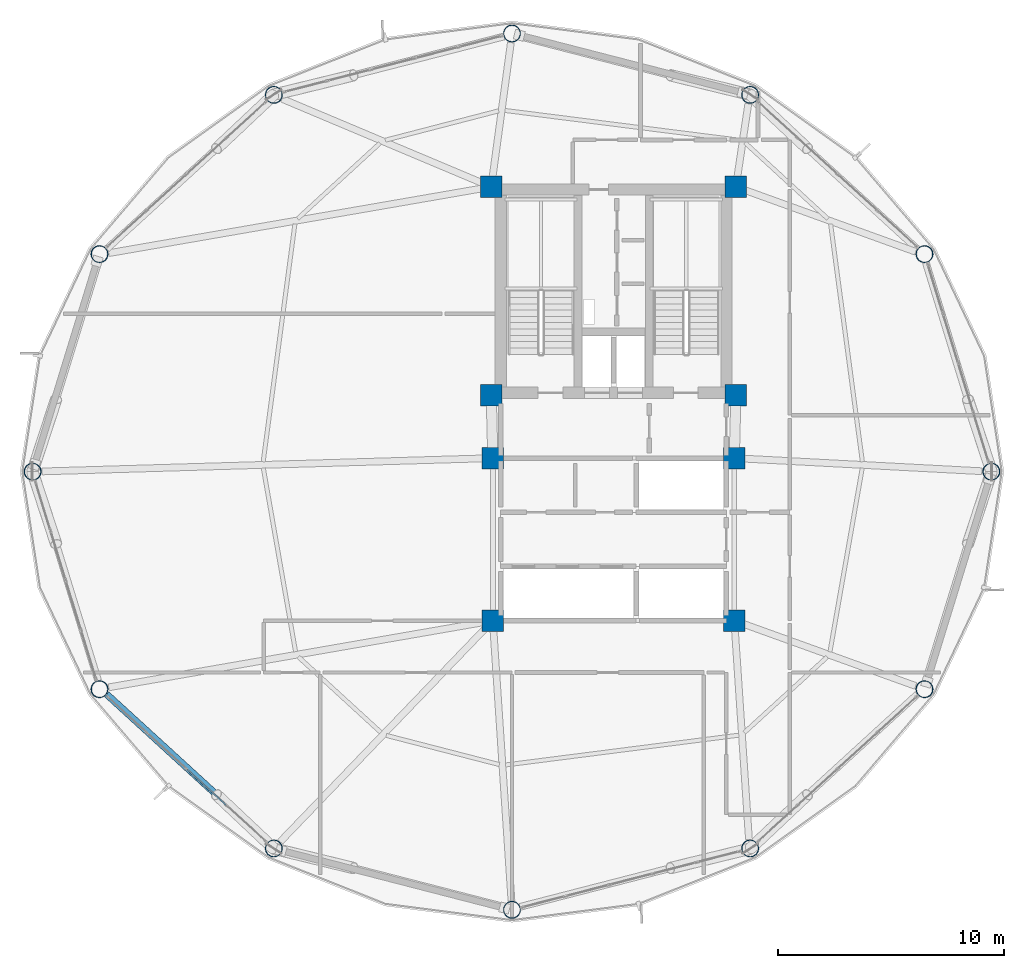
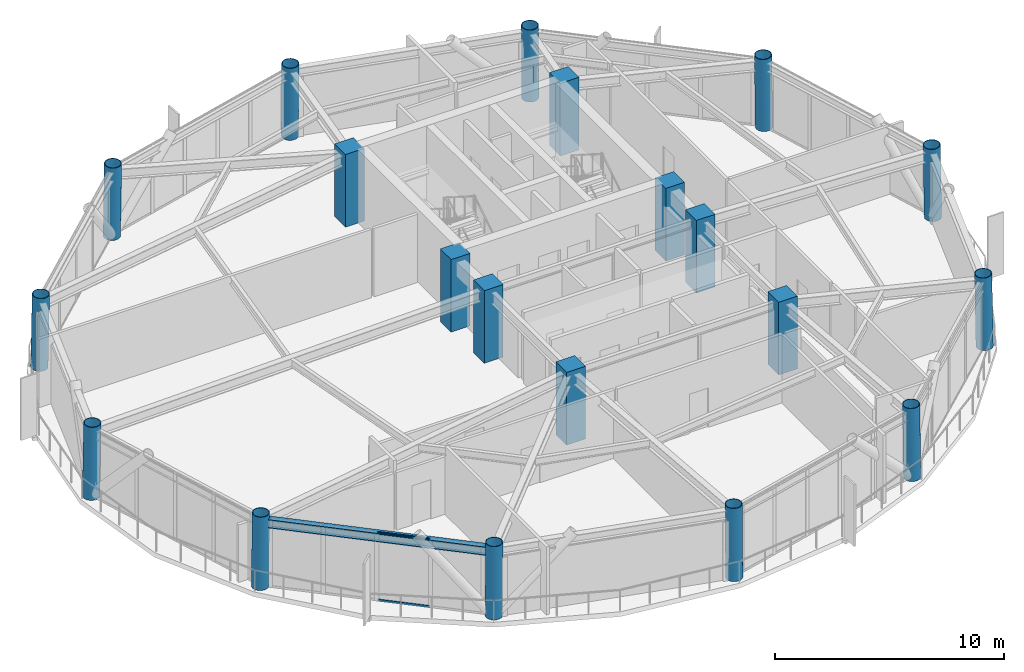
# One storey, part 1 of 25: 20 columns, 2 members, 1 beam, 1 element without a shape of its own.
"""IFC4 building model written with IfcOpenShell, lengths in metres."""

from ifc_helpers import new_model, si_unit, direction, frame, origin, origin_2d, place, context, subcontext, project, spatial, rectangle, hollow_rectangle, hollow_circle, i_section, extrude, material, layer, layer_set, material_profile, profile_set, type_object, element, aggregate, save


model = new_model("IFC4")

# Units and contexts
model_context = context("Model", 3, precision=1e-05, world=origin(), true_north=direction((0.0, 1.0)))
body_context = subcontext(model_context, "Body", "Model", "MODEL_VIEW")
ifc_project = project(units=[si_unit("LENGTHUNIT", "METRE"), si_unit("AREAUNIT", "SQUARE_METRE"), si_unit("VOLUMEUNIT", "CUBIC_METRE"), si_unit("PLANEANGLEUNIT", "RADIAN"), si_unit("MASSUNIT", "GRAM", prefix="KILO")], contexts=[model_context])

# Site, building, storey
site_placement = place(None, origin())
site = spatial("IfcSite", under=ifc_project, at=site_placement, CompositionType="ELEMENT")
building_placement = place(site_placement, origin())
building = spatial("IfcBuilding", under=site, at=building_placement, Name="Varnakorn Sky Granary", CompositionType="ELEMENT")
storey_placement = place(building_placement, frame((0.0, 0.0, 122.699951171875)))
storey = spatial("IfcBuildingStorey", under=building, at=storey_placement, Name="L30", CompositionType="ELEMENT", Elevation=122.699951171875)

# Columns
ifc_material_1 = material(Name="Steel S460M", Category="steel")
ifc_material_profile_1 = material_profile(ifc_material_1, hollow_circle(Radius=0.381103515625, WallThickness=0.028076171875, at=origin_2d()), Name="CHS 762x28")
ifc_profile_set_1 = profile_set([ifc_material_profile_1], Name="Steel S460M")
column_type_1 = type_object("IfcColumnType", Name="COL-DC-Z3", PredefinedType="COLUMN", material=ifc_profile_set_1)
for number, where, z_axis, x_axis, name in (
    (1, (19.75, 0.0, 0.0), (-0.017260533083, 0.0, 0.999851025902), (0.0, -1.0, 0.0), "Drum Perimeter Column DC01 L30"),
    (2, (16.7861328125, 9.64306640625, 0.0), (-0.01499299424, -0.00611059009, 0.999868926816), (0.377420478288, -0.926041998275, 0.0), "Drum Perimeter Column DC02 L30"),
):
    element("IfcColumn", number, at=place(storey_placement, frame(where, z_axis=z_axis, x_axis=x_axis)), inside=storey, type_object=column_type_1, Name=name, PredefinedType="COLUMN", context=body_context, shape_type="SweptSolid", body=[
        extrude(hollow_circle(Radius=0.381103515625, WallThickness=0.028076171875, at=origin_2d()), origin(), (0.0, 0.0, 1.0), 3.87548828125),
    ])
for number, where, z_axis, x_axis, name in (
    (3, (9.0576171875, 16.7021484375, 0.0), (-0.008693752408, -0.010457702172, 0.999907523291), (0.768980150656, -0.639272655365, 0.0), "Drum Perimeter Column DC03 L30"),
    (4, (-1.5, 19.4208984375, 0.0), (0.0, -0.012095889218, 0.999926842056), (1.0, 0.0, 0.0), "Drum Perimeter Column DC04 L30"),
    (5, (-12.0576171875, 16.7021484375, 0.0), (0.008693752408, -0.010457702172, 0.999907523291), (0.768980150656, 0.639272655365, 0.0), "Drum Perimeter Column DC05 L30"),
):
    element("IfcColumn", number, at=place(storey_placement, frame(where, z_axis=z_axis, x_axis=x_axis)), inside=storey, type_object=column_type_1, Name=name, PredefinedType="COLUMN", context=body_context, shape_type="SweptSolid", body=[
        extrude(hollow_circle(Radius=0.381103515625, WallThickness=0.028076171875, at=origin_2d()), origin(), (0.0, 0.0, 1.0), 3.875244140625),
    ])
for number, where, z_axis, x_axis, name in (
    (6, (-19.7861328125, 9.64306640625, 0.0), (0.01499299424, -0.00611059009, 0.999868926816), (0.377420478288, 0.926041998275, 0.0), "Drum Perimeter Column DC06 L30"),
    (7, (-22.75, 0.0, 0.0), (0.017260533083, 0.0, 0.999851025902), (0.0, 1.0, 0.0), "Drum Perimeter Column DC07 L30"),
    (8, (-19.7861328125, -9.64306640625, 0.0), (0.01499299424, 0.00611059009, 0.999868926816), (-0.377420478288, 0.926041998275, 0.0), "Drum Perimeter Column DC08 L30"),
):
    element("IfcColumn", number, at=place(storey_placement, frame(where, z_axis=z_axis, x_axis=x_axis)), inside=storey, type_object=column_type_1, Name=name, PredefinedType="COLUMN", context=body_context, shape_type="SweptSolid", body=[
        extrude(hollow_circle(Radius=0.381103515625, WallThickness=0.028076171875, at=origin_2d()), origin(), (0.0, 0.0, 1.0), 3.87548828125),
    ])
for number, where, z_axis, x_axis, name in (
    (9, (-12.0576171875, -16.7021484375, 0.0), (0.008693752408, 0.010457702172, 0.999907523291), (-0.768980150656, 0.639272655365, 0.0), "Drum Perimeter Column DC09 L30"),
    (10, (-1.5, -19.4208984375, 0.0), (0.0, 0.012095889218, 0.999926842056), (-1.0, 0.0, 0.0), "Drum Perimeter Column DC10 L30"),
    (11, (9.0576171875, -16.7021484375, 0.0), (-0.008693752408, 0.010457702172, 0.999907523291), (-0.768980150656, -0.639272655365, 0.0), "Drum Perimeter Column DC11 L30"),
):
    element("IfcColumn", number, at=place(storey_placement, frame(where, z_axis=z_axis, x_axis=x_axis)), inside=storey, type_object=column_type_1, Name=name, PredefinedType="COLUMN", context=body_context, shape_type="SweptSolid", body=[
        extrude(hollow_circle(Radius=0.381103515625, WallThickness=0.028076171875, at=origin_2d()), origin(), (0.0, 0.0, 1.0), 3.875244140625),
    ])
column_placement = place(storey_placement, frame((16.7861328125, -9.64306640625, 0.0), z_axis=(-0.01499299424, 0.00611059009, 0.999868926816), x_axis=(-0.377420478288, -0.926041998275, 0.0)))
element("IfcColumn", 12, at=column_placement, inside=storey, type_object=column_type_1, Name="Drum Perimeter Column DC12 L30", PredefinedType="COLUMN", context=body_context, shape_type="SweptSolid", body=[
    extrude(hollow_circle(Radius=0.381103515625, WallThickness=0.028076171875, at=origin_2d()), origin(), (0.0, 0.0, 1.0), 3.87548828125),
])
ifc_material_2 = material(Name="Concrete C50/60", Category="concrete")
ifc_material_profile_2 = material_profile(ifc_material_2, rectangle(XDim=0.949951171875, YDim=0.949951171875, at=origin_2d()), Name="RC 950x950")
ifc_profile_set_2 = profile_set([ifc_material_profile_2], Name="Concrete C50/60")
column_type_2 = type_object("IfcColumnType", Name="COL-MC-Z3", PredefinedType="COLUMN", material=ifc_profile_set_2)
for number, where, z_axis, x_axis, name in (
    (13, (-2.419921875, 12.6201171875, 0.0), (0.0, 0.0, 1.0), (1.0, 0.0, 0.0), "Backbone Mega-Column MC1 L30"),
    (14, (8.419921875, 12.6201171875, 0.0), (0.0, 0.0, 1.0), (1.0, 0.0, 0.0), "Backbone Mega-Column MC2 L30"),
    (15, (-2.419921875, 3.3798828125, 0.0), (0.0, 0.0, 1.0), (1.0, 0.0, 0.0), "Backbone Mega-Column MC3 L30"),
    (16, (8.419921875, 3.3798828125, 0.0), (0.0, 0.0, 1.0), (1.0, 0.0, 0.0), "Backbone Mega-Column MC4 L30"),
    (17, (-2.35009765625, 0.60009765625, 0.0), (0.0, 0.0, 1.0), (1.0, 0.0, 0.0), "Backbone Mega-Column MC5 L30"),
    (18, (8.35009765625, 0.60009765625, 0.0), (0.0, 0.0, 1.0), (1.0, 0.0, 0.0), "Backbone Mega-Column MC6 L30"),
    (19, (-2.35009765625, -6.60009765625, 0.0), (0.0, 0.0, 1.0), (1.0, 0.0, 0.0), "Backbone Mega-Column MC7 L30"),
    (20, (8.35009765625, -6.60009765625, 0.0), (0.0, 0.0, 1.0), (1.0, 0.0, 0.0), "Backbone Mega-Column MC8 L30"),
):
    element("IfcColumn", number, at=place(storey_placement, frame(where, z_axis=z_axis, x_axis=x_axis)), inside=storey, type_object=column_type_2, Name=name, PredefinedType="COLUMN", context=body_context, shape_type="SweptSolid", body=[
        extrude(rectangle(XDim=0.949951171875, YDim=0.949951171875, at=origin_2d()), origin(), (0.0, 0.0, 1.0), 3.875),
    ])

# Beam
ifc_material_3 = material(Name="Steel S355JR", Category="steel")
ifc_material_profile_3 = material_profile(ifc_material_3, i_section(OverallWidth=0.300048828125, OverallDepth=0.449951171875, WebThickness=0.013916015625, FlangeThickness=0.02587890625, at=origin_2d()), Name="HE 450 B")
ifc_profile_set_3 = profile_set([ifc_material_profile_3], Name="Steel S355JR")
beam_type = type_object("IfcBeamType", Name="BM-SPD-Z3", PredefinedType="SPANDREL", material=ifc_profile_set_3)
beam_placement = place(storey_placement, frame((-19.4580078125, -9.866455078125, 3.4150390625), z_axis=(0.738115063522, -0.674674849836, 0.0), x_axis=(0.674674849836, 0.738115063522, 0.0)))
element("IfcBeam", 21, at=beam_placement, inside=storey, type_object=beam_type, Name="Perimeter Spandrel Ring Beam RB08 L30", PredefinedType="SPANDREL", context=body_context, shape_type="SweptSolid", body=[
    extrude(i_section(OverallWidth=0.300048828125, OverallDepth=0.449951171875, WebThickness=0.013916015625, FlangeThickness=0.02587890625, at=origin_2d()), origin(), (0.0, 0.0, 1.0), 9.70556640625),
])

# Curtain wall, members
ifc_material_4 = material(Name="Anodised Bronze Aluminium Alloy 6063-T6", Category="aluminium")
ifc_layer = layer(ifc_material_4, 0.179931640625, Name="Anodised Bronze Aluminium Alloy 6063-T6")
ifc_layer_set = layer_set([ifc_layer], Name="Anodised Bronze Aluminium Alloy 6063-T6")
curtain_wall_type = type_object("IfcCurtainWallType", Name="CW-FRM-2", PredefinedType="USERDEFINED", material=ifc_layer_set)
curtain_wall_placement = place(storey_placement, origin())
curtain_wall = element("IfcCurtainWall", 22, at=curtain_wall_placement, inside=storey, type_object=curtain_wall_type, Name="Unitised Curtain Wall CW4 CW-L30-B08", ObjectType="CURTAIN WALL", PredefinedType="USERDEFINED")
ifc_material_profile_4 = material_profile(ifc_material_4, hollow_rectangle(XDim=0.06494140625, YDim=0.1201171875, WallThickness=0.00341796875, at=origin_2d()), Name="ALU TRAN 65x120")
ifc_profile_set_4 = profile_set([ifc_material_profile_4], Name="Anodised Bronze Aluminium Alloy 6063-T6")
member_type = type_object("IfcMemberType", Name="CW-FRM-2-TRAN", PredefinedType="USERDEFINED", material=ifc_profile_set_4)
member_1_placement = place(storey_placement, frame((-14.17822265625, -14.76513671875, 0.032470703125), z_axis=(-0.738390062698, 0.674373869088, 0.0), x_axis=(-0.674373869088, -0.738390062698, 0.0)))
member_1 = element("IfcMember", 23, at=member_1_placement, type_object=member_type, Name="CW4 transom 2.1", ObjectType="TRANSOM", PredefinedType="USERDEFINED", context=body_context, shape_type="SweptSolid", body=[
    extrude(hollow_rectangle(XDim=0.06494140625, YDim=0.1201171875, WallThickness=0.00341796875, at=origin_2d()), origin(), (0.0, 0.0, 1.0), 2.326416015625),
])
member_2_placement = place(storey_placement, frame((-14.17822265625, -14.76513671875, 3.607666015625), z_axis=(-0.738390062698, 0.674373869088, 0.0), x_axis=(-0.674373869088, -0.738390062698, 0.0)))
member_2 = element("IfcMember", 24, at=member_2_placement, type_object=member_type, Name="CW4 transom 2.2", ObjectType="TRANSOM", PredefinedType="USERDEFINED", context=body_context, shape_type="SweptSolid", body=[
    extrude(hollow_rectangle(XDim=0.06494140625, YDim=0.1201171875, WallThickness=0.00341796875, at=origin_2d()), origin(), (0.0, 0.0, 1.0), 2.326416015625),
])
aggregate(curtain_wall, [member_1, member_2])

save(model, "model.ifc")
